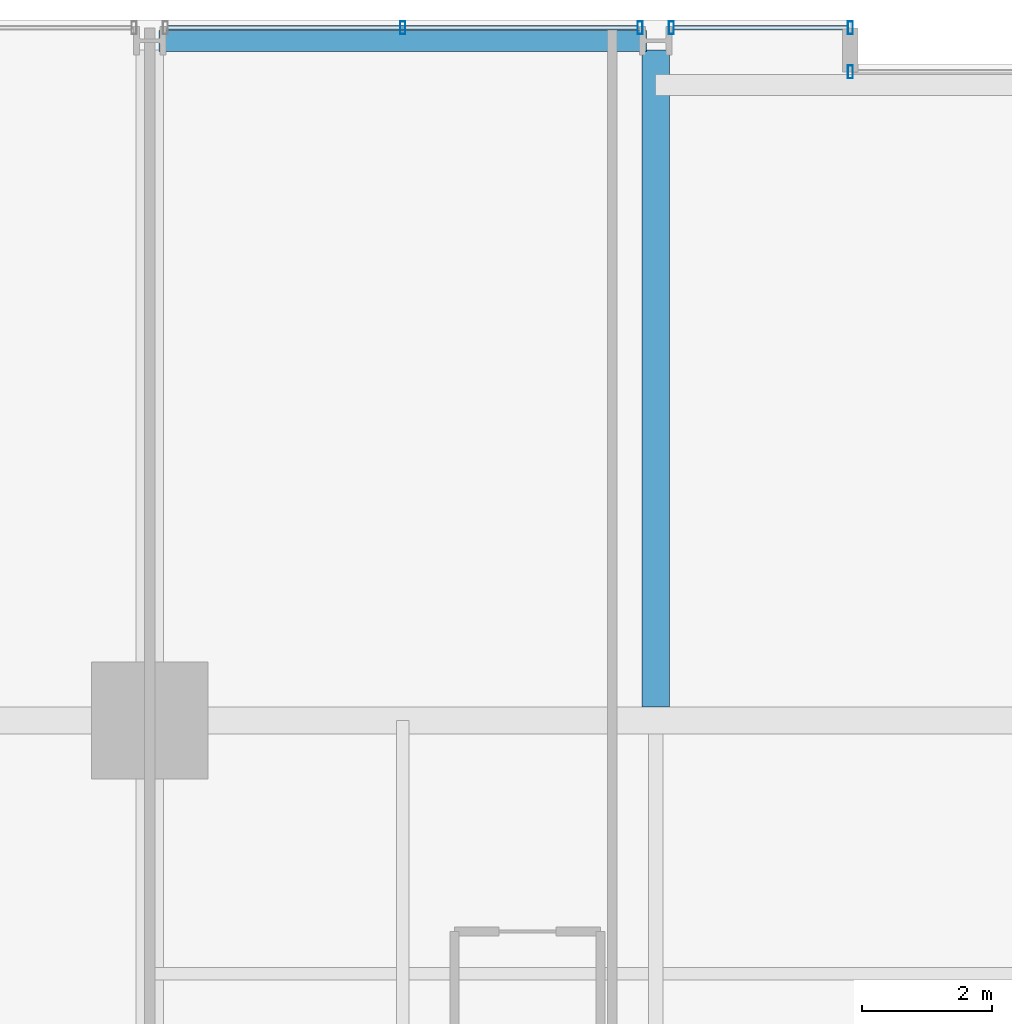
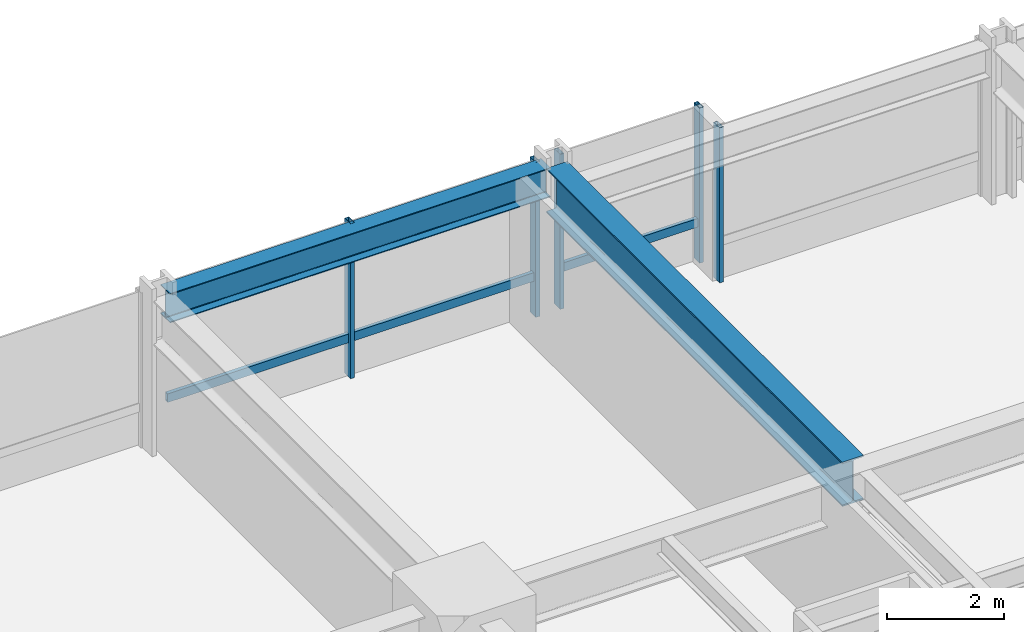
# One storey, part 22 of 37: 7 members, 2 beams, 3 elements without a shape of their own.
"""IFC4 building model written with IfcOpenShell, lengths in metres."""

from ifc_helpers import new_model, si_unit, direction, frame, origin, origin_2d, place, context, subcontext, project, spatial, hollow_rectangle, i_section, extrude, material, layer, layer_set, material_profile, profile_set, type_object, element, aggregate, save


model = new_model("IFC4")

# Units and contexts
model_context = context("Model", 3, precision=1e-05, world=origin(), true_north=direction((0.0, 1.0)))
body_context = subcontext(model_context, "Body", "Model", "MODEL_VIEW")
ifc_project = project(units=[si_unit("LENGTHUNIT", "METRE"), si_unit("AREAUNIT", "SQUARE_METRE"), si_unit("VOLUMEUNIT", "CUBIC_METRE"), si_unit("PLANEANGLEUNIT", "RADIAN"), si_unit("MASSUNIT", "GRAM", prefix="KILO")], contexts=[model_context])

# Site, building, storey
site_placement = place(None, origin())
site = spatial("IfcSite", under=ifc_project, at=site_placement, CompositionType="ELEMENT")
building_placement = place(site_placement, origin())
building = spatial("IfcBuilding", under=site, at=building_placement, Name="Drelvath Grand Hotel", CompositionType="ELEMENT")
storey_placement = place(building_placement, frame((0.0, 0.0, 43.699951171875)))
storey = spatial("IfcBuildingStorey", under=building, at=storey_placement, Name="L09", CompositionType="ELEMENT", Elevation=43.699951171875)

# Curtain wall, member
ifc_material_1 = material(Name="Warm Bronze Anodised Aluminium Frame", Category="aluminium")
ifc_layer = layer(ifc_material_1, 0.199951171875)
ifc_layer_set = layer_set([ifc_layer], Name="Warm Bronze Anodised Aluminium Frame")
curtain_wall_type = type_object("IfcCurtainWallType", Name="Stick Curtain Wall CW-02 Warm Bronze Low-Rise", PredefinedType="NOTDEFINED", material=ifc_layer_set)
curtain_wall_1_placement = place(storey_placement, origin())
curtain_wall_1 = element("IfcCurtainWall", 1, at=curtain_wall_1_placement, inside=storey, type_object=curtain_wall_type, Name="L09 CW-02 Curtain Wall CW02-L09-NW2", PredefinedType="NOTDEFINED")
ifc_material_profile_1 = material_profile(ifc_material_1, hollow_rectangle(XDim=0.074951171875, YDim=0.179931640625, WallThickness=0.0048828125, at=origin_2d()), Name="HSS180X75X5")
ifc_profile_set_1 = profile_set([ifc_material_profile_1], Name="Warm Bronze Anodised Aluminium Frame")
member_type_1 = type_object("IfcMemberType", Name="Curtain Wall Horizontal Transom CW-02 HSS180X75X5", PredefinedType="USERDEFINED", material=ifc_profile_set_1)
member_1_placement = place(storey_placement, frame((-15.919189453125, 53.8798828125, 0.81005859375), z_axis=(1.0, 0.0, 0.0), x_axis=(0.0, 1.0, 0.0)))
member_1 = element("IfcMember", 2, at=member_1_placement, type_object=member_type_1, Name="CW02-L09-NW2 Sill Transom", ObjectType="TRANSOM", PredefinedType="USERDEFINED", context=body_context, shape_type="SweptSolid", body=[
    extrude(hollow_rectangle(XDim=0.074951171875, YDim=0.179931640625, WallThickness=0.0048828125, at=origin_2d()), origin(), (0.0, 0.0, 1.0), 7.23828125),
])

curtain_wall_2_placement = place(storey_placement, origin())
curtain_wall_2 = element("IfcCurtainWall", 3, at=curtain_wall_2_placement, inside=storey, type_object=curtain_wall_type, Name="L09 CW-02 Curtain Wall CW02-L09-NW3", PredefinedType="NOTDEFINED")
member_2_placement = place(storey_placement, frame((-8.119140625, 53.8798828125, 0.81005859375), z_axis=(1.0, 0.0, 0.0), x_axis=(0.0, 1.0, 0.0)))
member_2 = element("IfcMember", 4, at=member_2_placement, type_object=member_type_1, Name="CW02-L09-NW3 Sill Transom", ObjectType="TRANSOM", PredefinedType="USERDEFINED", context=body_context, shape_type="SweptSolid", body=[
    extrude(hollow_rectangle(XDim=0.074951171875, YDim=0.179931640625, WallThickness=0.0048828125, at=origin_2d()), origin(), (0.0, 0.0, 1.0), 2.67919921875),
])

# Member
ifc_material_profile_2 = material_profile(ifc_material_1, hollow_rectangle(XDim=0.080078125, YDim=0.199951171875, WallThickness=0.0048828125, at=origin_2d()), Name="HSS200X80X5")
ifc_profile_set_2 = profile_set([ifc_material_profile_2], Name="Warm Bronze Anodised Aluminium Frame")
member_type_2 = type_object("IfcMemberType", Name="Curtain Wall Vertical Mullion CW-02 HSS200X80X5", PredefinedType="MULLION", material=ifc_profile_set_2)
member_3_placement = place(storey_placement, frame((-12.300048828125, 53.8798828125, 0.0), z_axis=(0.0, 0.0, 1.0), x_axis=(1.0, 0.0, 0.0)))
member_3 = element("IfcMember", 5, at=member_3_placement, type_object=member_type_2, Name="CW02-L09-NW2 Mullion 2", PredefinedType="MULLION", context=body_context, shape_type="SweptSolid", body=[
    extrude(hollow_rectangle(XDim=0.080078125, YDim=0.199951171875, WallThickness=0.0048828125, at=origin_2d()), origin(), (0.0, 0.0, 1.0), 3.239990234375),
])

member_4_placement = place(storey_placement, frame((-8.640869140625, 53.8798828125, 0.0), z_axis=(0.0, 0.0, 1.0), x_axis=(1.0, 0.0, 0.0)))
member_4 = element("IfcMember", 6, at=member_4_placement, type_object=member_type_2, Name="CW02-L09-NW2 Mullion 3", PredefinedType="MULLION", context=body_context, shape_type="SweptSolid", body=[
    extrude(hollow_rectangle(XDim=0.080078125, YDim=0.199951171875, WallThickness=0.0048828125, at=origin_2d()), origin(), (0.0, 0.0, 1.0), 3.239990234375),
])

aggregate(curtain_wall_1, [member_3, member_4, member_1])

member_5_placement = place(storey_placement, frame((-8.1591796875, 53.8798828125, 0.0), z_axis=(0.0, 0.0, 1.0), x_axis=(1.0, 0.0, 0.0)))
member_5 = element("IfcMember", 7, at=member_5_placement, type_object=member_type_2, Name="CW02-L09-NW3 Mullion 1", PredefinedType="MULLION", context=body_context, shape_type="SweptSolid", body=[
    extrude(hollow_rectangle(XDim=0.080078125, YDim=0.199951171875, WallThickness=0.0048828125, at=origin_2d()), origin(), (0.0, 0.0, 1.0), 3.239990234375),
])

member_6_placement = place(storey_placement, frame((-5.39990234375, 53.8798828125, 0.0), z_axis=(0.0, 0.0, 1.0), x_axis=(1.0, 0.0, 0.0)))
member_6 = element("IfcMember", 8, at=member_6_placement, type_object=member_type_2, Name="CW02-L09-NW3 Mullion 2", PredefinedType="MULLION", context=body_context, shape_type="SweptSolid", body=[
    extrude(hollow_rectangle(XDim=0.080078125, YDim=0.199951171875, WallThickness=0.0048828125, at=origin_2d()), origin(), (0.0, 0.0, 1.0), 3.239990234375),
])

aggregate(curtain_wall_2, [member_5, member_6, member_2])

# Curtain wall, member
curtain_wall_3_placement = place(storey_placement, origin())
curtain_wall_3 = element("IfcCurtainWall", 9, at=curtain_wall_3_placement, inside=storey, type_object=curtain_wall_type, Name="L09 CW-02 Curtain Wall CW02-L09-NM1", PredefinedType="NOTDEFINED")
member_7_placement = place(storey_placement, frame((-5.39990234375, 53.199951171875, 0.0), z_axis=(0.0, 0.0, 1.0), x_axis=(1.0, 0.0, 0.0)))
member_7 = element("IfcMember", 10, at=member_7_placement, type_object=member_type_2, Name="CW02-L09-NM1 Mullion 1", PredefinedType="MULLION", context=body_context, shape_type="SweptSolid", body=[
    extrude(hollow_rectangle(XDim=0.080078125, YDim=0.199951171875, WallThickness=0.0048828125, at=origin_2d()), origin(), (0.0, 0.0, 1.0), 3.239990234375),
])
aggregate(curtain_wall_3, [member_7])

# Beams
ifc_material_2 = material(Name="Steel ASTM A992 Gr 50", Category="steel")
ifc_material_profile_3 = material_profile(ifc_material_2, i_section(OverallWidth=0.323974609375, OverallDepth=0.611083984375, WebThickness=0.0126953125, FlangeThickness=0.01904296875, FilletRadius=0.02197265625, at=origin_2d()), Name="W24X104")
ifc_profile_set_3 = profile_set([ifc_material_profile_3], Name="Steel ASTM A992 Gr 50")
beam_type_1 = type_object("IfcBeamType", Name="Perimeter Spandrel Beam W24X104", PredefinedType="SPANDREL", material=ifc_profile_set_3)
beam_1_placement = place(storey_placement, frame((-16.06005859375, 53.679931640625, 2.9345703125), z_axis=(1.0, 0.0, 0.0), x_axis=(0.0, 1.0, 0.0)))
element("IfcBeam", 11, at=beam_1_placement, inside=storey, type_object=beam_type_1, Name="L09 Spandrel North W", PredefinedType="SPANDREL", context=body_context, shape_type="SweptSolid", body=[
    extrude(i_section(OverallWidth=0.323974609375, OverallDepth=0.611083984375, WebThickness=0.0126953125, FlangeThickness=0.01904296875, FilletRadius=0.02197265625, at=origin_2d()), origin(), (0.0, 0.0, 1.0), 7.52001953125),
])
ifc_material_profile_4 = material_profile(ifc_material_2, i_section(OverallWidth=0.418212890625, OverallDepth=0.926513671875, WebThickness=0.019287109375, FlangeThickness=0.031982421875, FilletRadius=0.028076171875, at=origin_2d()), Name="W36X231")
ifc_profile_set_4 = profile_set([ifc_material_profile_4], Name="Steel ASTM A992 Gr 50")
beam_type_2 = type_object("IfcBeamType", Name="Primary Floor Girder W36X231", PredefinedType="BEAM", material=ifc_profile_set_4)
beam_2_placement = place(storey_placement, frame((-8.39990234375, 43.4091796875, 2.77685546875), z_axis=(0.0, 1.0, 0.0), x_axis=(-1.0, 0.0, 0.0)))
element("IfcBeam", 12, at=beam_2_placement, inside=storey, type_object=beam_type_2, Name="L09 North Wing Girder 4", PredefinedType="BEAM", context=body_context, shape_type="SweptSolid", body=[
    extrude(i_section(OverallWidth=0.418212890625, OverallDepth=0.926513671875, WebThickness=0.019287109375, FlangeThickness=0.031982421875, FilletRadius=0.028076171875, at=origin_2d()), origin(), (0.0, 0.0, 1.0), 10.130859375),
])

save(model, "model.ifc")
